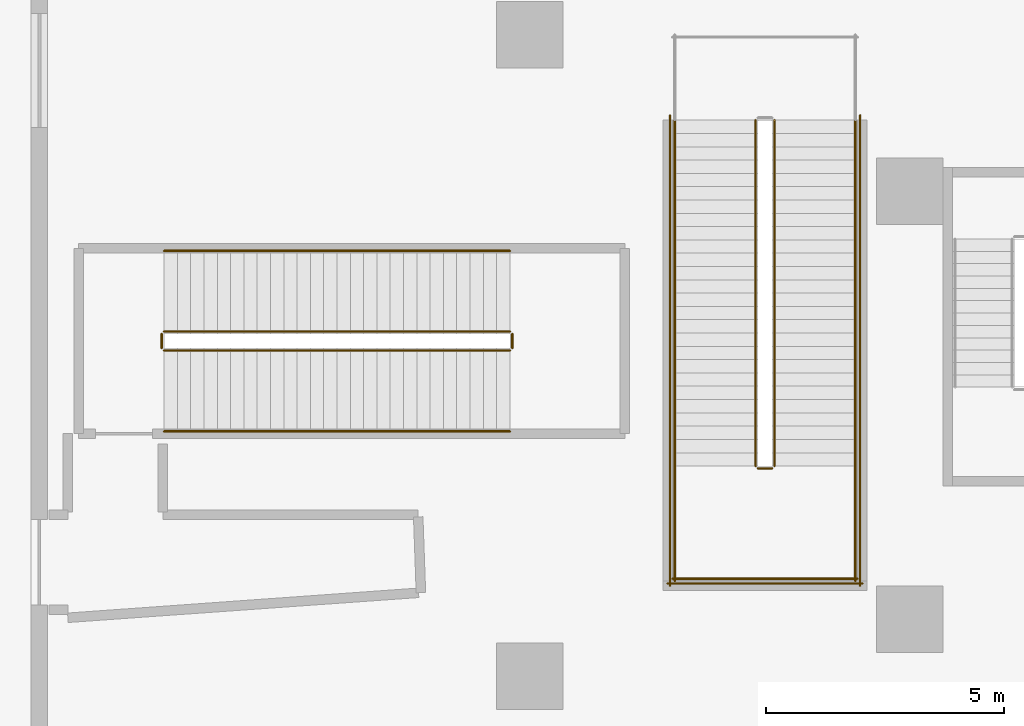
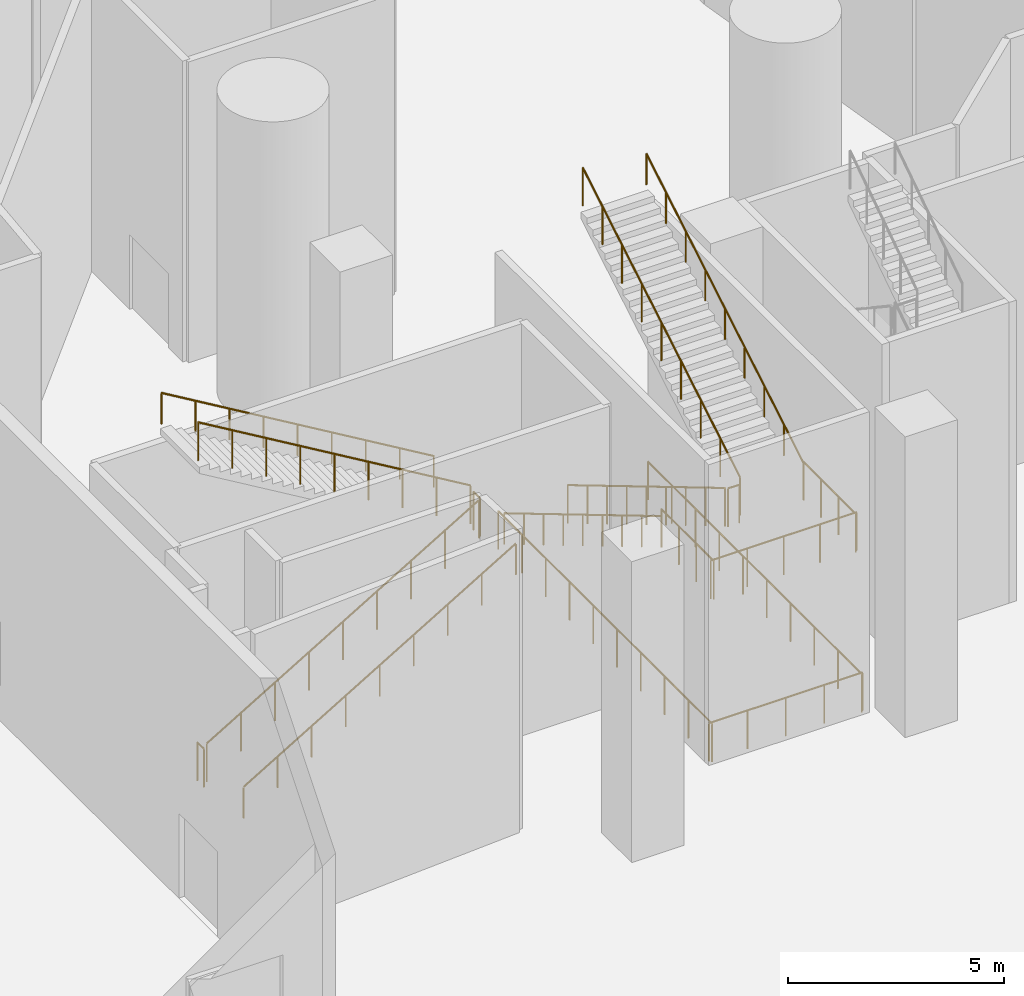
# One storey, part 39 of 54: 17 railings.
"""IFC4 building model written with IfcOpenShell, lengths in metres."""

from ifc_helpers import new_model, si_unit, direction, frame, origin, origin_2d, place, context, subcontext, project, spatial, circle, extrude, material, type_object, element, save


model = new_model("IFC4")

# Units and contexts
model_context = context("Model", 3, precision=1e-05, world=origin(), true_north=direction((0.0, 1.0)))
body_context = subcontext(model_context, "Body", "Model", "MODEL_VIEW")
ifc_project = project(units=[si_unit("LENGTHUNIT", "METRE"), si_unit("AREAUNIT", "SQUARE_METRE"), si_unit("VOLUMEUNIT", "CUBIC_METRE"), si_unit("PLANEANGLEUNIT", "RADIAN"), si_unit("MASSUNIT", "GRAM", prefix="KILO")], contexts=[model_context])

# Site, building, storey
site_placement = place(None, origin())
site = spatial("IfcSite", under=ifc_project, at=site_placement, CompositionType="ELEMENT")
building_placement = place(site_placement, origin())
building = spatial("IfcBuilding", under=site, at=building_placement, Name="Tamarind Cross Interchange Tower", CompositionType="ELEMENT")
storey_placement = place(building_placement, origin())
storey = spatial("IfcBuildingStorey", under=building, at=storey_placement, Name="L00", CompositionType="ELEMENT", Elevation=0.0)

# Railings
ifc_material_1 = material(Name="Public stair guard")
railing_type_1 = type_object("IfcRailingType", Name="Public stair guard", PredefinedType="GUARDRAIL", material=ifc_material_1)
railing_1_placement = place(storey_placement, frame((-8.75, -28.800048828125, 0.166748046875)))
element("IfcRailing", 1, at=railing_1_placement, inside=storey, type_object=railing_type_1, Name="L00 PS-S stair guard 1", PredefinedType="GUARDRAIL", context=body_context, shape_type="SweptSolid", body=[
    extrude(circle(Radius=0.02392578125, at=origin_2d()), frame((0.0, 0.0, 1.076171875), z_axis=(0.0, -0.859298010897, 0.511475247171), x_axis=(1.0, 0.0, 0.0)), (0.0, 0.0, 1.0), 8.47216796875),
    extrude(circle(Radius=0.02099609375, at=origin_2d()), origin(), (0.0, 0.0, 1.0), 1.052001953125),
    extrude(circle(Radius=0.02099609375, at=origin_2d()), frame((0.0, -0.909912109375, 0.541748046875)), (0.0, 0.0, 1.0), 1.052001953125),
    extrude(circle(Radius=0.02099609375, at=origin_2d()), frame((0.0, -1.820068359375, 1.083251953125)), (0.0, 0.0, 1.0), 1.052001953125),
    extrude(circle(Radius=0.02099609375, at=origin_2d()), frame((0.0, -2.72998046875, 1.625)), (0.0, 0.0, 1.0), 1.052001953125),
    extrude(circle(Radius=0.02099609375, at=origin_2d()), frame((0.0, -3.64013671875, 2.16650390625)), (0.0, 0.0, 1.0), 1.052001953125),
    extrude(circle(Radius=0.02099609375, at=origin_2d()), frame((0.0, -4.550048828125, 2.708251953125)), (0.0, 0.0, 1.0), 1.052001953125),
    extrude(circle(Radius=0.02099609375, at=origin_2d()), frame((0.0, -5.4599609375, 3.25)), (0.0, 0.0, 1.0), 1.052001953125),
    extrude(circle(Radius=0.02099609375, at=origin_2d()), frame((0.0, -6.3701171875, 3.79150390625)), (0.0, 0.0, 1.0), 1.052001953125),
    extrude(circle(Radius=0.02099609375, at=origin_2d()), frame((0.0, -7.280029296875, 4.333251953125)), (0.0, 0.0, 1.0), 1.052001953125),
])
railing_2_placement = place(storey_placement, frame((-8.699951171875, -36.1298828125, 4.5)))
element("IfcRailing", 2, at=railing_2_placement, inside=storey, type_object=railing_type_1, Name="L00 PS-S stair guard 2", PredefinedType="GUARDRAIL", context=body_context, shape_type="SweptSolid", body=[
    extrude(circle(Radius=0.02392578125, at=origin_2d()), frame((0.0, 0.0, 1.076171875), z_axis=(1.0, 0.0, 0.0), x_axis=(0.0, 1.0, 0.0)), (0.0, 0.0, 1.0), 0.300048828125),
    extrude(circle(Radius=0.02099609375, at=origin_2d()), origin(), (0.0, 0.0, 1.0), 1.052001953125),
    extrude(circle(Radius=0.02099609375, at=origin_2d()), frame((0.300048828125, 0.0, 0.0)), (0.0, 0.0, 1.0), 1.052001953125),
])
for number, where, name in (
    (3, (-10.449951171875, -36.080078125, 4.5), "L00 PS-S stair guard 3"),
    (4, (-6.64990234375, -36.080078125, 4.5), "L00 PS-S stair guard 4"),
):
    element("IfcRailing", number, at=place(storey_placement, frame(where)), inside=storey, type_object=railing_type_1, Name=name, PredefinedType="GUARDRAIL", context=body_context, shape_type="SweptSolid", body=[
        extrude(circle(Radius=0.02392578125, at=origin_2d()), frame((0.0, 0.0, 1.076171875), z_axis=(0.0, -1.0, 0.0), x_axis=(1.0, 0.0, 0.0)), (0.0, 0.0, 1.0), 2.419921875),
        extrude(circle(Radius=0.02099609375, at=origin_2d()), origin(), (0.0, 0.0, 1.0), 1.052001953125),
        extrude(circle(Radius=0.02099609375, at=origin_2d()), frame((0.0, -0.806640625, 0.0)), (0.0, 0.0, 1.0), 1.052001953125),
        extrude(circle(Radius=0.02099609375, at=origin_2d()), frame((0.0, -1.61328125, 0.0)), (0.0, 0.0, 1.0), 1.052001953125),
        extrude(circle(Radius=0.02099609375, at=origin_2d()), frame((0.0, -2.419921875, 0.0)), (0.0, 0.0, 1.0), 1.052001953125),
    ])
railing_3_placement = place(storey_placement, frame((-10.5, -38.449951171875, 4.5)))
element("IfcRailing", 5, at=railing_3_placement, inside=storey, type_object=railing_type_1, Name="L00 PS-S stair guard 5", PredefinedType="GUARDRAIL", context=body_context, shape_type="SweptSolid", body=[
    extrude(circle(Radius=0.02392578125, at=origin_2d()), frame((0.0, 0.0, 1.076171875), z_axis=(1.0, 0.0, 0.0), x_axis=(0.0, 1.0, 0.0)), (0.0, 0.0, 1.0), 3.89990234375),
    extrude(circle(Radius=0.02099609375, at=origin_2d()), origin(), (0.0, 0.0, 1.0), 1.052001953125),
    extrude(circle(Radius=0.02099609375, at=origin_2d()), frame((0.97509765625, 0.0, 0.0)), (0.0, 0.0, 1.0), 1.052001953125),
    extrude(circle(Radius=0.02099609375, at=origin_2d()), frame((1.949951171875, 0.0, 0.0)), (0.0, 0.0, 1.0), 1.052001953125),
    extrude(circle(Radius=0.02099609375, at=origin_2d()), frame((2.9248046875, 0.0, 0.0)), (0.0, 0.0, 1.0), 1.052001953125),
    extrude(circle(Radius=0.02099609375, at=origin_2d()), frame((3.89990234375, 0.0, 0.0)), (0.0, 0.0, 1.0), 1.052001953125),
])
railing_4_placement = place(storey_placement, frame((-8.35009765625, -36.080078125, 4.666748046875)))
element("IfcRailing", 6, at=railing_4_placement, inside=storey, type_object=railing_type_1, Name="L00 PS-S stair guard 6", PredefinedType="GUARDRAIL", context=body_context, shape_type="SweptSolid", body=[
    extrude(circle(Radius=0.02392578125, at=origin_2d()), frame((0.0, 0.0, 1.076171875), z_axis=(0.0, 0.859298010897, 0.511475247171), x_axis=(-1.0, 0.0, 0.0)), (0.0, 0.0, 1.0), 8.47216796875),
    extrude(circle(Radius=0.02099609375, at=origin_2d()), origin(), (0.0, 0.0, 1.0), 1.052001953125),
    extrude(circle(Radius=0.02099609375, at=origin_2d()), frame((0.0, 0.909912109375, 0.541748046875)), (0.0, 0.0, 1.0), 1.052001953125),
    extrude(circle(Radius=0.02099609375, at=origin_2d()), frame((0.0, 1.820068359375, 1.083251953125)), (0.0, 0.0, 1.0), 1.052001953125),
    extrude(circle(Radius=0.02099609375, at=origin_2d()), frame((0.0, 2.72998046875, 1.625)), (0.0, 0.0, 1.0), 1.052001953125),
    extrude(circle(Radius=0.02099609375, at=origin_2d()), frame((0.0, 3.64013671875, 2.16650390625)), (0.0, 0.0, 1.0), 1.052001953125),
    extrude(circle(Radius=0.02099609375, at=origin_2d()), frame((0.0, 4.550048828125, 2.708251953125)), (0.0, 0.0, 1.0), 1.052001953125),
    extrude(circle(Radius=0.02099609375, at=origin_2d()), frame((0.0, 5.4599609375, 3.25)), (0.0, 0.0, 1.0), 1.052001953125),
    extrude(circle(Radius=0.02099609375, at=origin_2d()), frame((0.0, 6.3701171875, 3.79150390625)), (0.0, 0.0, 1.0), 1.052001953125),
    extrude(circle(Radius=0.02099609375, at=origin_2d()), frame((0.0, 7.280029296875, 4.333251953125)), (0.0, 0.0, 1.0), 1.052001953125),
])
for number, where, name in (
    (7, (-10.550048828125, -28.699951171875, 0.0), "L00 PS-S stair guard 11"),
    (8, (-6.550048828125, -28.699951171875, 0.0), "L00 PS-S stair guard 12"),
):
    element("IfcRailing", number, at=place(storey_placement, frame(where)), inside=storey, type_object=railing_type_1, Name=name, PredefinedType="GUARDRAIL", context=body_context, shape_type="SweptSolid", body=[
        extrude(circle(Radius=0.02392578125, at=origin_2d()), frame((0.0, 0.0, 1.076171875), z_axis=(0.0, -1.0, 0.0), x_axis=(1.0, 0.0, 0.0)), (0.0, 0.0, 1.0), 9.900146484375),
        extrude(circle(Radius=0.02099609375, at=origin_2d()), origin(), (0.0, 0.0, 1.0), 1.052001953125),
        extrude(circle(Radius=0.02099609375, at=origin_2d()), frame((0.0, -1.10009765625, 0.0)), (0.0, 0.0, 1.0), 1.052001953125),
        extrude(circle(Radius=0.02099609375, at=origin_2d()), frame((0.0, -2.199951171875, 0.0)), (0.0, 0.0, 1.0), 1.052001953125),
        extrude(circle(Radius=0.02099609375, at=origin_2d()), frame((0.0, -3.300048828125, 0.0)), (0.0, 0.0, 1.0), 1.052001953125),
        extrude(circle(Radius=0.02099609375, at=origin_2d()), frame((0.0, -4.400146484375, 0.0)), (0.0, 0.0, 1.0), 1.052001953125),
        extrude(circle(Radius=0.02099609375, at=origin_2d()), frame((0.0, -5.5, 0.0)), (0.0, 0.0, 1.0), 1.052001953125),
        extrude(circle(Radius=0.02099609375, at=origin_2d()), frame((0.0, -6.60009765625, 0.0)), (0.0, 0.0, 1.0), 1.052001953125),
        extrude(circle(Radius=0.02099609375, at=origin_2d()), frame((0.0, -7.7001953125, 0.0)), (0.0, 0.0, 1.0), 1.052001953125),
        extrude(circle(Radius=0.02099609375, at=origin_2d()), frame((0.0, -8.800048828125, 0.0)), (0.0, 0.0, 1.0), 1.052001953125),
        extrude(circle(Radius=0.02099609375, at=origin_2d()), frame((0.0, -9.900146484375, 0.0)), (0.0, 0.0, 1.0), 1.052001953125),
    ])
railing_5_placement = place(storey_placement, frame((-10.60009765625, -38.550048828125, 0.0)))
element("IfcRailing", 9, at=railing_5_placement, inside=storey, type_object=railing_type_1, Name="L00 PS-S stair guard 13", PredefinedType="GUARDRAIL", context=body_context, shape_type="SweptSolid", body=[
    extrude(circle(Radius=0.02392578125, at=origin_2d()), frame((0.0, 0.0, 1.076171875), z_axis=(1.0, 0.0, 0.0), x_axis=(0.0, 1.0, 0.0)), (0.0, 0.0, 1.0), 4.10009765625),
    extrude(circle(Radius=0.02099609375, at=origin_2d()), origin(), (0.0, 0.0, 1.0), 1.052001953125),
    extrude(circle(Radius=0.02099609375, at=origin_2d()), frame((1.02490234375, 0.0, 0.0)), (0.0, 0.0, 1.0), 1.052001953125),
    extrude(circle(Radius=0.02099609375, at=origin_2d()), frame((2.050048828125, 0.0, 0.0)), (0.0, 0.0, 1.0), 1.052001953125),
    extrude(circle(Radius=0.02099609375, at=origin_2d()), frame((3.0751953125, 0.0, 0.0)), (0.0, 0.0, 1.0), 1.052001953125),
    extrude(circle(Radius=0.02099609375, at=origin_2d()), frame((4.10009765625, 0.0, 0.0)), (0.0, 0.0, 1.0), 1.052001953125),
])
railing_6_placement = place(storey_placement, frame((-21.199951171875, -33.64990234375, 0.166748046875)))
element("IfcRailing", 10, at=railing_6_placement, inside=storey, type_object=railing_type_1, Name="L00 XS-P09 stair guard 1", PredefinedType="GUARDRAIL", context=body_context, shape_type="SweptSolid", body=[
    extrude(circle(Radius=0.02392578125, at=origin_2d()), frame((0.0, 0.0, 1.076171875), z_axis=(0.859298010897, 0.0, 0.511475247171), x_axis=(0.0, 1.0, 0.0)), (0.0, 0.0, 1.0), 8.47216796875),
    extrude(circle(Radius=0.02099609375, at=origin_2d()), origin(), (0.0, 0.0, 1.0), 1.052001953125),
    extrude(circle(Radius=0.02099609375, at=origin_2d()), frame((0.909912109375, 0.0, 0.541748046875)), (0.0, 0.0, 1.0), 1.052001953125),
    extrude(circle(Radius=0.02099609375, at=origin_2d()), frame((1.820068359375, 0.0, 1.083251953125)), (0.0, 0.0, 1.0), 1.052001953125),
    extrude(circle(Radius=0.02099609375, at=origin_2d()), frame((2.72998046875, 0.0, 1.625)), (0.0, 0.0, 1.0), 1.052001953125),
    extrude(circle(Radius=0.02099609375, at=origin_2d()), frame((3.64013671875, 0.0, 2.16650390625)), (0.0, 0.0, 1.0), 1.052001953125),
    extrude(circle(Radius=0.02099609375, at=origin_2d()), frame((4.550048828125, 0.0, 2.708251953125)), (0.0, 0.0, 1.0), 1.052001953125),
    extrude(circle(Radius=0.02099609375, at=origin_2d()), frame((5.4599609375, 0.0, 3.25)), (0.0, 0.0, 1.0), 1.052001953125),
    extrude(circle(Radius=0.02099609375, at=origin_2d()), frame((6.3701171875, 0.0, 3.79150390625)), (0.0, 0.0, 1.0), 1.052001953125),
    extrude(circle(Radius=0.02099609375, at=origin_2d()), frame((7.280029296875, 0.0, 4.333251953125)), (0.0, 0.0, 1.0), 1.052001953125),
])
railing_7_placement = place(storey_placement, frame((-13.8701171875, -33.60009765625, 4.5)))
element("IfcRailing", 11, at=railing_7_placement, inside=storey, type_object=railing_type_1, Name="L00 XS-P09 stair guard 2", PredefinedType="GUARDRAIL", context=body_context, shape_type="SweptSolid", body=[
    extrude(circle(Radius=0.02392578125, at=origin_2d()), frame((0.0, 0.0, 1.076171875), z_axis=(0.0, 1.0, 0.0), x_axis=(-1.0, 0.0, 0.0)), (0.0, 0.0, 1.0), 0.300048828125),
    extrude(circle(Radius=0.02099609375, at=origin_2d()), origin(), (0.0, 0.0, 1.0), 1.052001953125),
    extrude(circle(Radius=0.02099609375, at=origin_2d()), frame((0.0, 0.300048828125, 0.0)), (0.0, 0.0, 1.0), 1.052001953125),
])
railing_8_placement = place(storey_placement, frame((-13.919921875, -33.25, 4.666748046875)))
element("IfcRailing", 12, at=railing_8_placement, inside=storey, type_object=railing_type_1, Name="L00 XS-P09 stair guard 3", PredefinedType="GUARDRAIL", context=body_context, shape_type="SweptSolid", body=[
    extrude(circle(Radius=0.02392578125, at=origin_2d()), frame((0.0, 0.0, 1.076171875), z_axis=(-0.859298010897, 0.0, 0.511475247171), x_axis=(0.0, -1.0, 0.0)), (0.0, 0.0, 1.0), 8.47216796875),
    extrude(circle(Radius=0.02099609375, at=origin_2d()), origin(), (0.0, 0.0, 1.0), 1.052001953125),
    extrude(circle(Radius=0.02099609375, at=origin_2d()), frame((-0.909912109375, 0.0, 0.541748046875)), (0.0, 0.0, 1.0), 1.052001953125),
    extrude(circle(Radius=0.02099609375, at=origin_2d()), frame((-1.820068359375, 0.0, 1.083251953125)), (0.0, 0.0, 1.0), 1.052001953125),
    extrude(circle(Radius=0.02099609375, at=origin_2d()), frame((-2.72998046875, 0.0, 1.625)), (0.0, 0.0, 1.0), 1.052001953125),
    extrude(circle(Radius=0.02099609375, at=origin_2d()), frame((-3.64013671875, 0.0, 2.16650390625)), (0.0, 0.0, 1.0), 1.052001953125),
    extrude(circle(Radius=0.02099609375, at=origin_2d()), frame((-4.550048828125, 0.0, 2.708251953125)), (0.0, 0.0, 1.0), 1.052001953125),
    extrude(circle(Radius=0.02099609375, at=origin_2d()), frame((-5.4599609375, 0.0, 3.25)), (0.0, 0.0, 1.0), 1.052001953125),
    extrude(circle(Radius=0.02099609375, at=origin_2d()), frame((-6.3701171875, 0.0, 3.79150390625)), (0.0, 0.0, 1.0), 1.052001953125),
    extrude(circle(Radius=0.02099609375, at=origin_2d()), frame((-7.280029296875, 0.0, 4.333251953125)), (0.0, 0.0, 1.0), 1.052001953125),
])
railing_9_placement = place(storey_placement, frame((-21.25, -33.60009765625, 0.0)))
element("IfcRailing", 13, at=railing_9_placement, inside=storey, type_object=railing_type_1, Name="L00 XS-P09 stair guard 4", PredefinedType="GUARDRAIL", context=body_context, shape_type="SweptSolid", body=[
    extrude(circle(Radius=0.02392578125, at=origin_2d()), frame((0.0, 0.0, 1.076171875), z_axis=(0.0, 1.0, 0.0), x_axis=(-1.0, 0.0, 0.0)), (0.0, 0.0, 1.0), 0.300048828125),
    extrude(circle(Radius=0.02099609375, at=origin_2d()), origin(), (0.0, 0.0, 1.0), 1.052001953125),
    extrude(circle(Radius=0.02099609375, at=origin_2d()), frame((0.0, 0.300048828125, 0.0)), (0.0, 0.0, 1.0), 1.052001953125),
])
ifc_material_2 = material(Name="Public stair handrail")
railing_type_2 = type_object("IfcRailingType", Name="Public stair handrail", PredefinedType="HANDRAIL", material=ifc_material_2)
railing_10_placement = place(storey_placement, frame((-10.449951171875, -28.800048828125, 0.166748046875)))
element("IfcRailing", 14, at=railing_10_placement, inside=storey, type_object=railing_type_2, Name="L00 PS-S stair handrail 1", PredefinedType="HANDRAIL", context=body_context, shape_type="SweptSolid", body=[
    extrude(circle(Radius=0.02392578125, at=origin_2d()), frame((0.0, 0.0, 0.8759765625), z_axis=(0.0, -0.859298010897, 0.511475247171), x_axis=(1.0, 0.0, 0.0)), (0.0, 0.0, 1.0), 8.47216796875),
    extrude(circle(Radius=0.02099609375, at=origin_2d()), origin(), (0.0, 0.0, 1.0), 0.851806640625),
    extrude(circle(Radius=0.02099609375, at=origin_2d()), frame((0.0, -0.909912109375, 0.541748046875)), (0.0, 0.0, 1.0), 0.851806640625),
    extrude(circle(Radius=0.02099609375, at=origin_2d()), frame((0.0, -1.820068359375, 1.083251953125)), (0.0, 0.0, 1.0), 0.851806640625),
    extrude(circle(Radius=0.02099609375, at=origin_2d()), frame((0.0, -2.72998046875, 1.625)), (0.0, 0.0, 1.0), 0.851806640625),
    extrude(circle(Radius=0.02099609375, at=origin_2d()), frame((0.0, -3.64013671875, 2.16650390625)), (0.0, 0.0, 1.0), 0.851806640625),
    extrude(circle(Radius=0.02099609375, at=origin_2d()), frame((0.0, -4.550048828125, 2.708251953125)), (0.0, 0.0, 1.0), 0.851806640625),
    extrude(circle(Radius=0.02099609375, at=origin_2d()), frame((0.0, -5.4599609375, 3.25)), (0.0, 0.0, 1.0), 0.851806640625),
    extrude(circle(Radius=0.02099609375, at=origin_2d()), frame((0.0, -6.3701171875, 3.79150390625)), (0.0, 0.0, 1.0), 0.851806640625),
    extrude(circle(Radius=0.02099609375, at=origin_2d()), frame((0.0, -7.280029296875, 4.333251953125)), (0.0, 0.0, 1.0), 0.851806640625),
])
railing_11_placement = place(storey_placement, frame((-6.64990234375, -36.080078125, 4.666748046875)))
element("IfcRailing", 15, at=railing_11_placement, inside=storey, type_object=railing_type_2, Name="L00 PS-S stair handrail 2", PredefinedType="HANDRAIL", context=body_context, shape_type="SweptSolid", body=[
    extrude(circle(Radius=0.02392578125, at=origin_2d()), frame((0.0, 0.0, 0.8759765625), z_axis=(0.0, 0.859298010897, 0.511475247171), x_axis=(-1.0, 0.0, 0.0)), (0.0, 0.0, 1.0), 8.47216796875),
    extrude(circle(Radius=0.02099609375, at=origin_2d()), origin(), (0.0, 0.0, 1.0), 0.851806640625),
    extrude(circle(Radius=0.02099609375, at=origin_2d()), frame((0.0, 0.909912109375, 0.541748046875)), (0.0, 0.0, 1.0), 0.851806640625),
    extrude(circle(Radius=0.02099609375, at=origin_2d()), frame((0.0, 1.820068359375, 1.083251953125)), (0.0, 0.0, 1.0), 0.851806640625),
    extrude(circle(Radius=0.02099609375, at=origin_2d()), frame((0.0, 2.72998046875, 1.625)), (0.0, 0.0, 1.0), 0.851806640625),
    extrude(circle(Radius=0.02099609375, at=origin_2d()), frame((0.0, 3.64013671875, 2.16650390625)), (0.0, 0.0, 1.0), 0.851806640625),
    extrude(circle(Radius=0.02099609375, at=origin_2d()), frame((0.0, 4.550048828125, 2.708251953125)), (0.0, 0.0, 1.0), 0.851806640625),
    extrude(circle(Radius=0.02099609375, at=origin_2d()), frame((0.0, 5.4599609375, 3.25)), (0.0, 0.0, 1.0), 0.851806640625),
    extrude(circle(Radius=0.02099609375, at=origin_2d()), frame((0.0, 6.3701171875, 3.79150390625)), (0.0, 0.0, 1.0), 0.851806640625),
    extrude(circle(Radius=0.02099609375, at=origin_2d()), frame((0.0, 7.280029296875, 4.333251953125)), (0.0, 0.0, 1.0), 0.851806640625),
])
railing_12_placement = place(storey_placement, frame((-21.199951171875, -35.35009765625, 0.166748046875)))
element("IfcRailing", 16, at=railing_12_placement, inside=storey, type_object=railing_type_2, Name="L00 XS-P09 stair handrail 1", PredefinedType="HANDRAIL", context=body_context, shape_type="SweptSolid", body=[
    extrude(circle(Radius=0.02392578125, at=origin_2d()), frame((0.0, 0.0, 0.8759765625), z_axis=(0.859298010897, 0.0, 0.511475247171), x_axis=(0.0, 1.0, 0.0)), (0.0, 0.0, 1.0), 8.47216796875),
    extrude(circle(Radius=0.02099609375, at=origin_2d()), origin(), (0.0, 0.0, 1.0), 0.851806640625),
    extrude(circle(Radius=0.02099609375, at=origin_2d()), frame((0.909912109375, 0.0, 0.541748046875)), (0.0, 0.0, 1.0), 0.851806640625),
    extrude(circle(Radius=0.02099609375, at=origin_2d()), frame((1.820068359375, 0.0, 1.083251953125)), (0.0, 0.0, 1.0), 0.851806640625),
    extrude(circle(Radius=0.02099609375, at=origin_2d()), frame((2.72998046875, 0.0, 1.625)), (0.0, 0.0, 1.0), 0.851806640625),
    extrude(circle(Radius=0.02099609375, at=origin_2d()), frame((3.64013671875, 0.0, 2.16650390625)), (0.0, 0.0, 1.0), 0.851806640625),
    extrude(circle(Radius=0.02099609375, at=origin_2d()), frame((4.550048828125, 0.0, 2.708251953125)), (0.0, 0.0, 1.0), 0.851806640625),
    extrude(circle(Radius=0.02099609375, at=origin_2d()), frame((5.4599609375, 0.0, 3.25)), (0.0, 0.0, 1.0), 0.851806640625),
    extrude(circle(Radius=0.02099609375, at=origin_2d()), frame((6.3701171875, 0.0, 3.79150390625)), (0.0, 0.0, 1.0), 0.851806640625),
    extrude(circle(Radius=0.02099609375, at=origin_2d()), frame((7.280029296875, 0.0, 4.333251953125)), (0.0, 0.0, 1.0), 0.851806640625),
])
railing_13_placement = place(storey_placement, frame((-13.919921875, -31.550048828125, 4.666748046875)))
element("IfcRailing", 17, at=railing_13_placement, inside=storey, type_object=railing_type_2, Name="L00 XS-P09 stair handrail 2", PredefinedType="HANDRAIL", context=body_context, shape_type="SweptSolid", body=[
    extrude(circle(Radius=0.02392578125, at=origin_2d()), frame((0.0, 0.0, 0.8759765625), z_axis=(-0.859298010897, 0.0, 0.511475247171), x_axis=(0.0, -1.0, 0.0)), (0.0, 0.0, 1.0), 8.47216796875),
    extrude(circle(Radius=0.02099609375, at=origin_2d()), origin(), (0.0, 0.0, 1.0), 0.851806640625),
    extrude(circle(Radius=0.02099609375, at=origin_2d()), frame((-0.909912109375, 0.0, 0.541748046875)), (0.0, 0.0, 1.0), 0.851806640625),
    extrude(circle(Radius=0.02099609375, at=origin_2d()), frame((-1.820068359375, 0.0, 1.083251953125)), (0.0, 0.0, 1.0), 0.851806640625),
    extrude(circle(Radius=0.02099609375, at=origin_2d()), frame((-2.72998046875, 0.0, 1.625)), (0.0, 0.0, 1.0), 0.851806640625),
    extrude(circle(Radius=0.02099609375, at=origin_2d()), frame((-3.64013671875, 0.0, 2.16650390625)), (0.0, 0.0, 1.0), 0.851806640625),
    extrude(circle(Radius=0.02099609375, at=origin_2d()), frame((-4.550048828125, 0.0, 2.708251953125)), (0.0, 0.0, 1.0), 0.851806640625),
    extrude(circle(Radius=0.02099609375, at=origin_2d()), frame((-5.4599609375, 0.0, 3.25)), (0.0, 0.0, 1.0), 0.851806640625),
    extrude(circle(Radius=0.02099609375, at=origin_2d()), frame((-6.3701171875, 0.0, 3.79150390625)), (0.0, 0.0, 1.0), 0.851806640625),
    extrude(circle(Radius=0.02099609375, at=origin_2d()), frame((-7.280029296875, 0.0, 4.333251953125)), (0.0, 0.0, 1.0), 0.851806640625),
])

save(model, "model.ifc")
